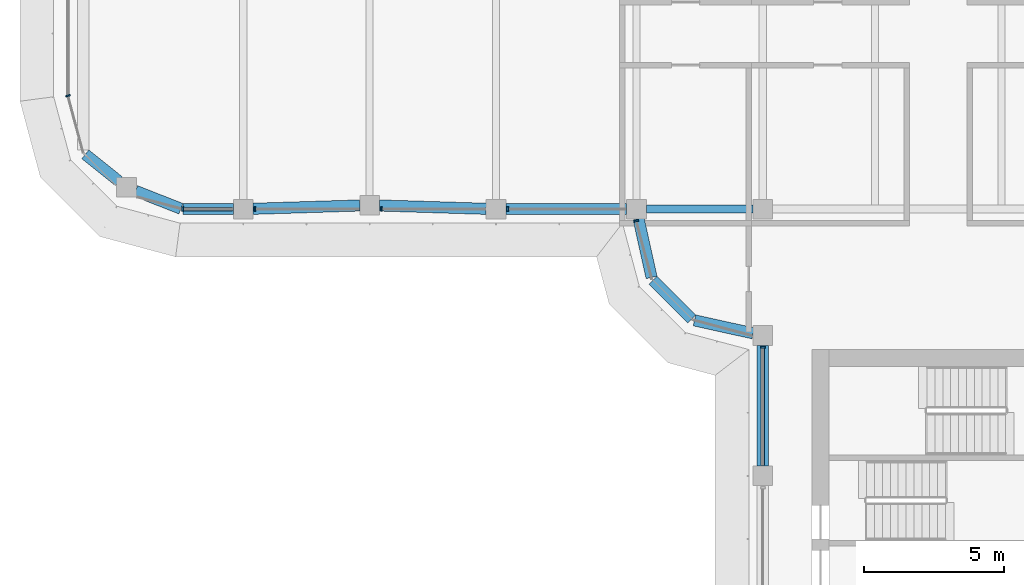
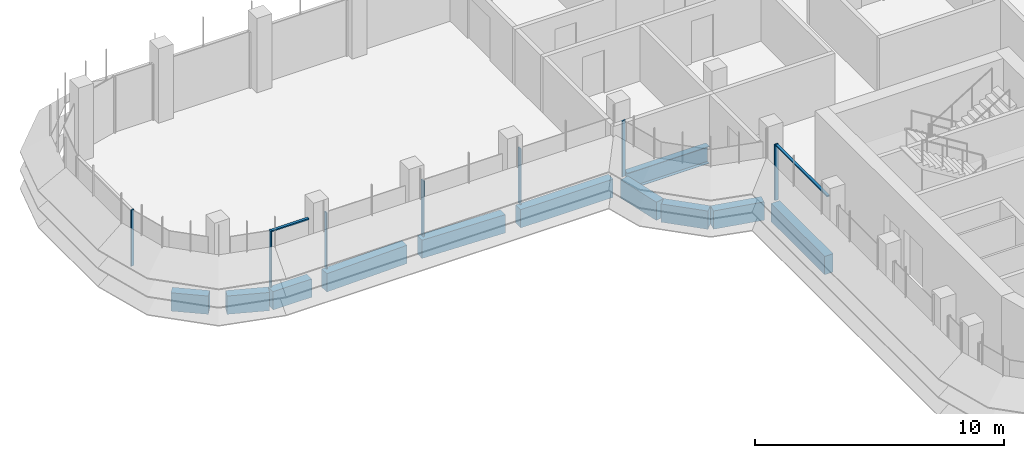
# One storey, part 3 of 19: 11 beams, 9 members, 4 elements without a shape of their own.
"""IFC4 building model written with IfcOpenShell, lengths in metres."""

from ifc_helpers import new_model, si_unit, direction, frame, origin, origin_2d, place, context, subcontext, project, spatial, polyline, rectangle, i_section, outline, extrude, source, transform, mapped, material, material_profile, profile_set, type_object, element, aggregate, save


model = new_model("IFC4")

# Units and contexts
model_context = context("Model", 3, precision=1e-05, world=origin(), true_north=direction((0.0, 1.0)))
body_context = subcontext(model_context, "Body", "Model", "MODEL_VIEW")
ifc_project = project(units=[si_unit("LENGTHUNIT", "METRE"), si_unit("AREAUNIT", "SQUARE_METRE"), si_unit("VOLUMEUNIT", "CUBIC_METRE"), si_unit("PLANEANGLEUNIT", "RADIAN"), si_unit("MASSUNIT", "GRAM", prefix="KILO")], contexts=[model_context])

# Site, building, storey
site_placement = place(None, origin())
site = spatial("IfcSite", under=ifc_project, at=site_placement, CompositionType="ELEMENT")
building_placement = place(site_placement, origin())
building = spatial("IfcBuilding", under=site, at=building_placement, Name="Zarbagh Exchange Tower", CompositionType="ELEMENT")
storey_placement = place(building_placement, frame((0.0, 0.0, 241.0)))
storey = spatial("IfcBuildingStorey", under=building, at=storey_placement, Name="L59", CompositionType="ELEMENT", Elevation=241.0)

# Beams
ifc_material_1 = material(Name="Steel ASTM A992 Gr 50", Category="steel")
ifc_material_profile_1 = material_profile(ifc_material_1, i_section(OverallWidth=0.2919921875, OverallDepth=0.835693359375, WebThickness=0.013916015625, FlangeThickness=0.018798828125, at=origin_2d()), Name="W33X118")
ifc_profile_set_1 = profile_set([ifc_material_profile_1], Name="Steel ASTM A992 Gr 50")
beam_type_1 = type_object("IfcBeamType", Name="Floor girder W33X118", PredefinedType="BEAM", material=ifc_profile_set_1)
beam_1_placement = place(storey_placement, frame((-10.39990234375, -6.25, -0.56787109375), z_axis=(1.0, 0.0, 0.0), x_axis=(0.0, 1.0, 0.0)))
element("IfcBeam", 1, at=beam_1_placement, inside=storey, type_object=beam_type_1, Name="Steel girder", PredefinedType="BEAM", context=body_context, shape_type="SweptSolid", body=[
    extrude(i_section(OverallWidth=0.2919921875, OverallDepth=0.835693359375, WebThickness=0.013916015625, FlangeThickness=0.018798828125, at=origin_2d()), origin(), (0.0, 0.0, 1.0), 3.7998046875),
])
ifc_material_2 = material(Name="Concrete C50/60", Category="concrete")
ifc_material_profile_2 = material_profile(ifc_material_2, rectangle(XDim=0.39990234375, YDim=0.89990234375, at=origin_2d()), Name="RC spandrel beam 400 x 900 C50/60")
ifc_profile_set_2 = profile_set([ifc_material_profile_2], Name="Concrete C50/60")
beam_type_2 = type_object("IfcBeamType", Name="RC spandrel beam 400 x 900 C50/60", PredefinedType="SPANDREL", material=ifc_profile_set_2)
beam_2_placement = place(storey_placement, frame((-6.25, -15.39990234375, -0.60009765625), z_axis=(0.0, 1.0, 0.0), x_axis=(-1.0, 0.0, 0.0)))
element("IfcBeam", 2, at=beam_2_placement, inside=storey, type_object=beam_type_2, Name="RC spandrel beam", PredefinedType="SPANDREL", context=body_context, shape_type="SweptSolid", body=[
    extrude(rectangle(XDim=0.39990234375, YDim=0.89990234375, at=origin_2d()), origin(), (0.0, 0.0, 1.0), 4.2998046875),
])
beam_3_placement = place(storey_placement, frame((-6.591796875, -10.67431640625, -0.60009765625), z_axis=(-0.97639036545, 0.216013551096, 0.0), x_axis=(-0.216013551096, -0.97639036545, 0.0)))
element("IfcBeam", 3, at=beam_3_placement, inside=storey, type_object=beam_type_2, Name="RC spandrel beam", PredefinedType="SPANDREL", context=body_context, shape_type="SweptSolid", body=[
    extrude(rectangle(XDim=0.39990234375, YDim=0.89990234375, at=origin_2d()), origin(), (0.0, 0.0, 1.0), 2.142822265625),
])
beam_4_placement = place(storey_placement, frame((-8.782470703125, -10.15771484375, -0.60009765625), z_axis=(-0.707106781187, 0.707106781187, 0.0), x_axis=(-0.707106781187, -0.707106781187, 0.0)))
element("IfcBeam", 4, at=beam_4_placement, inside=storey, type_object=beam_type_2, Name="RC spandrel beam", PredefinedType="SPANDREL", context=body_context, shape_type="SweptSolid", body=[
    extrude(rectangle(XDim=0.39990234375, YDim=0.89990234375, at=origin_2d()), origin(), (0.0, 0.0, 1.0), 1.94482421875),
])
beam_5_placement = place(storey_placement, frame((-10.21142578125, -8.68408203125, -0.60009765625), z_axis=(-0.216013551096, 0.97639036545, 0.0), x_axis=(-0.97639036545, -0.216013551096, 0.0)))
element("IfcBeam", 5, at=beam_5_placement, inside=storey, type_object=beam_type_2, Name="RC spandrel beam", PredefinedType="SPANDREL", context=body_context, shape_type="SweptSolid", body=[
    extrude(rectangle(XDim=0.39990234375, YDim=0.89990234375, at=origin_2d()), origin(), (0.0, 0.0, 1.0), 2.142822265625),
])
beam_6_placement = place(storey_placement, frame((-11.10009765625, -6.25, -0.60009765625), z_axis=(-1.0, 0.0, 0.0), x_axis=(0.0, -1.0, 0.0)))
element("IfcBeam", 6, at=beam_6_placement, inside=storey, type_object=beam_type_2, Name="RC spandrel beam", PredefinedType="SPANDREL", context=body_context, shape_type="SweptSolid", body=[
    extrude(rectangle(XDim=0.39990234375, YDim=0.89990234375, at=origin_2d()), origin(), (0.0, 0.0, 1.0), 4.2998046875),
])
for number, where, z_axis, x_axis, name in (
    (7, (-16.099853515625, -6.239013671875, -0.60009765625), (-0.999516950199, 0.031078389046, 0.0), (-0.031078389046, -0.999516950199, 0.0), "RC spandrel beam"),
    (8, (-20.599853515625, -6.120849609375, -0.60009765625), (-0.999516950199, -0.031078389046, 0.0), (0.031078389046, -0.999516950199, 0.0), "RC spandrel beam"),
):
    element("IfcBeam", number, at=place(storey_placement, frame(where, z_axis=z_axis, x_axis=x_axis)), inside=storey, type_object=beam_type_2, Name=name, PredefinedType="SPANDREL", context=body_context, shape_type="SweptSolid", body=[
        extrude(rectangle(XDim=0.39990234375, YDim=0.89990234375, at=origin_2d()), origin(), (0.0, 0.0, 1.0), 3.80224609375),
    ])
beam_7_placement = place(storey_placement, frame((-25.10009765625, -6.25, -0.60009765625), z_axis=(-1.0, 0.0, 0.0), x_axis=(0.0, -1.0, 0.0)))
element("IfcBeam", 9, at=beam_7_placement, inside=storey, type_object=beam_type_2, Name="RC spandrel beam", PredefinedType="SPANDREL", context=body_context, shape_type="SweptSolid", body=[
    extrude(rectangle(XDim=0.39990234375, YDim=0.89990234375, at=origin_2d()), origin(), (0.0, 0.0, 1.0), 1.796142578125),
])
beam_8_placement = place(storey_placement, frame((-26.969482421875, -6.236083984375, -0.60009765625), z_axis=(-0.930809711446, 0.365504146457, 0.0), x_axis=(-0.365504146457, -0.930809711446, 0.0)))
element("IfcBeam", 10, at=beam_8_placement, inside=storey, type_object=beam_type_2, Name="RC spandrel beam", PredefinedType="SPANDREL", context=body_context, shape_type="SweptSolid", body=[
    extrude(rectangle(XDim=0.39990234375, YDim=0.89990234375, at=origin_2d()), origin(), (0.0, 0.0, 1.0), 1.732666015625),
])
beam_9_placement = place(storey_placement, frame((-29.18115234375, -5.256103515625, -0.60009765625), z_axis=(-0.780634897504, 0.62498732531, 0.0), x_axis=(-0.62498732531, -0.780634897504, 0.0)))
element("IfcBeam", 11, at=beam_9_placement, inside=storey, type_object=beam_type_2, Name="RC spandrel beam", PredefinedType="SPANDREL", context=body_context, shape_type="SweptSolid", body=[
    extrude(rectangle(XDim=0.39990234375, YDim=0.89990234375, at=origin_2d()), origin(), (0.0, 0.0, 1.0), 1.52783203125),
])

# Curtain wall, member
ifc_material_3 = material(Name="Anodised aluminium frame and glazing", Category="aluminium")
curtain_wall_type = type_object("IfcCurtainWallType", Name="CWB Ribbon glazing, upper zones", PredefinedType="NOTDEFINED", material=ifc_material_3)
curtain_wall_1_placement = place(storey_placement, origin())
curtain_wall_1 = element("IfcCurtainWall", 12, at=curtain_wall_1_placement, inside=storey, type_object=curtain_wall_type, Name="CWB62 curtain wall", PredefinedType="NOTDEFINED")
ifc_material_4 = material(Name="Anodised aluminium frame", Category="aluminium")
member_type_1 = type_object("IfcMemberType", Name="MUB Mullion, anodised aluminium frame", PredefinedType="MULLION", material=ifc_material_4)
shared_shape_1 = source(origin(), body_context, "Body", "SweptSolid", [
    extrude(outline(polyline([(0.0, -0.080078125), (0.06005859375, -0.080078125), (0.06005859375, 0.080078125), (0.0, 0.080078125), (0.0, -0.080078125)])), origin(), (0.0, 0.0, 1.0), 2.75),
])
placement = place(storey_placement, origin())
member_1 = element("IfcMember", 13, at=placement, type_object=member_type_1, Name="CWB62 mullion 1.1", PredefinedType="MULLION", context=body_context, shape_type="MappedRepresentation", body=[
    mapped(shared_shape_1, transform((-31.0, -2.18408203125, 0.0), x_axis=(0.258824779902, -0.965924289636, 0.0), y_axis=(0.965924289636, 0.258824779902, 0.0), z_axis=(0.0, 0.0, 1.0))),
])
aggregate(curtain_wall_1, [member_1])

# Curtain wall, members
curtain_wall_2_placement = place(storey_placement, origin())
curtain_wall_2 = element("IfcCurtainWall", 14, at=curtain_wall_2_placement, inside=storey, type_object=curtain_wall_type, Name="CWB65 curtain wall", PredefinedType="NOTDEFINED")
member_2 = element("IfcMember", 15, at=placement, type_object=member_type_1, Name="CWB65 mullion 1.1", PredefinedType="MULLION", context=body_context, shape_type="MappedRepresentation", body=[
    mapped(shared_shape_1, transform((-26.93408203125, -6.25, 0.0), x_axis=(1.0, 0.0, 0.0), y_axis=(0.0, 1.0, 0.0), z_axis=(0.0, 0.0, 1.0))),
])
member_3 = element("IfcMember", 16, at=placement, type_object=member_type_1, Name="CWB65 mullion 2.1", PredefinedType="MULLION", context=body_context, shape_type="MappedRepresentation", body=[
    mapped(shared_shape_1, transform((-24.35986328125, -6.25, 0.0), x_axis=(1.0, 0.0, 0.0), y_axis=(0.0, 1.0, 0.0), z_axis=(0.0, 0.0, 1.0))),
])
member_4 = element("IfcMember", 17, at=placement, type_object=member_type_1, Name="CWB65 mullion 3.1", PredefinedType="MULLION", context=body_context, shape_type="MappedRepresentation", body=[
    mapped(shared_shape_1, transform((-19.85986328125, -6.25, 0.0), x_axis=(1.0, 0.0, 0.0), y_axis=(0.0, 1.0, 0.0), z_axis=(0.0, 0.0, 1.0))),
])
member_5 = element("IfcMember", 18, at=placement, type_object=member_type_1, Name="CWB65 mullion 4.1", PredefinedType="MULLION", context=body_context, shape_type="MappedRepresentation", body=[
    mapped(shared_shape_1, transform((-15.35986328125, -6.25, 0.0), x_axis=(1.0, 0.0, 0.0), y_axis=(0.0, 1.0, 0.0), z_axis=(0.0, 0.0, 1.0))),
])

# Curtain wall, member
curtain_wall_3_placement = place(storey_placement, origin())
curtain_wall_3 = element("IfcCurtainWall", 19, at=curtain_wall_3_placement, inside=storey, type_object=curtain_wall_type, Name="CWB41 curtain wall", PredefinedType="NOTDEFINED")
member_6 = element("IfcMember", 20, at=placement, type_object=member_type_1, Name="CWB41 mullion 1.1", PredefinedType="MULLION", context=body_context, shape_type="MappedRepresentation", body=[
    mapped(shared_shape_1, transform((-10.76171875, -6.64013671875, 0.0), x_axis=(0.258824779902, -0.965924289636, 0.0), y_axis=(0.965924289636, 0.258824779902, 0.0), z_axis=(0.0, 0.0, 1.0))),
])
aggregate(curtain_wall_3, [member_6])

curtain_wall_4_placement = place(storey_placement, origin())
curtain_wall_4 = element("IfcCurtainWall", 21, at=curtain_wall_4_placement, inside=storey, type_object=curtain_wall_type, Name="CWB53 curtain wall", PredefinedType="NOTDEFINED")
member_7 = element("IfcMember", 22, at=placement, type_object=member_type_1, Name="CWB53 mullion 1.1", PredefinedType="MULLION", context=body_context, shape_type="MappedRepresentation", body=[
    mapped(shared_shape_1, transform((-6.25, -11.14013671875, 0.0), x_axis=(0.0, -1.0, 0.0), y_axis=(1.0, 0.0, 0.0), z_axis=(0.0, 0.0, 1.0))),
])

# Member
member_type_2 = type_object("IfcMemberType", Name="TRB Transom, anodised aluminium frame", PredefinedType="USERDEFINED", material=ifc_material_4)
shared_shape_2 = source(origin(), body_context, "Body", "SweptSolid", [
    extrude(outline(polyline([(-0.06005859375, -0.06005859375), (0.0, -0.06005859375), (0.0, 0.06005859375), (-0.06005859375, 0.06005859375), (-0.06005859375, -0.06005859375)])), origin(), (0.0, 0.0, 1.0), 1.734130859375),
])
member_8 = element("IfcMember", 23, at=placement, type_object=member_type_2, Name="CWB65 transom 1.1", ObjectType="TRANSOM", PredefinedType="USERDEFINED", context=body_context, shape_type="MappedRepresentation", body=[
    mapped(shared_shape_2, transform((-26.874267578125, -6.25, 2.75), x_axis=(0.0, 0.0, 1.0), y_axis=(0.0, -1.0, 0.0), z_axis=(1.0, 0.0, 0.0))),
])

aggregate(curtain_wall_2, [member_2, member_8, member_3, member_4, member_5])

shared_shape_3 = source(origin(), body_context, "Body", "SweptSolid", [
    extrude(outline(polyline([(-0.06005859375, -0.06005859375), (0.0, -0.06005859375), (0.0, 0.06005859375), (-0.06005859375, 0.06005859375), (-0.06005859375, -0.06005859375)])), origin(), (0.0, 0.0, 1.0), 4.159912109375),
])
member_9 = element("IfcMember", 24, at=placement, type_object=member_type_2, Name="CWB53 transom 1.1", ObjectType="TRANSOM", PredefinedType="USERDEFINED", context=body_context, shape_type="MappedRepresentation", body=[
    mapped(shared_shape_3, transform((-6.25, -11.199951171875, 2.75), x_axis=(0.0, 0.0, 1.0), y_axis=(-1.0, 0.0, 0.0), z_axis=(0.0, -1.0, 0.0))),
])

aggregate(curtain_wall_4, [member_7, member_9])

save(model, "model.ifc")
